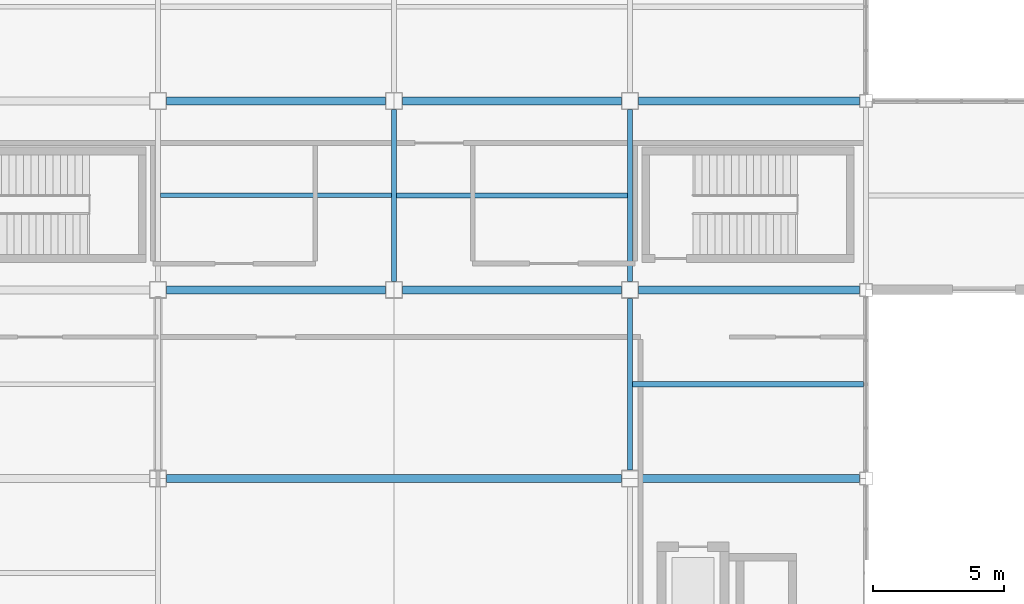
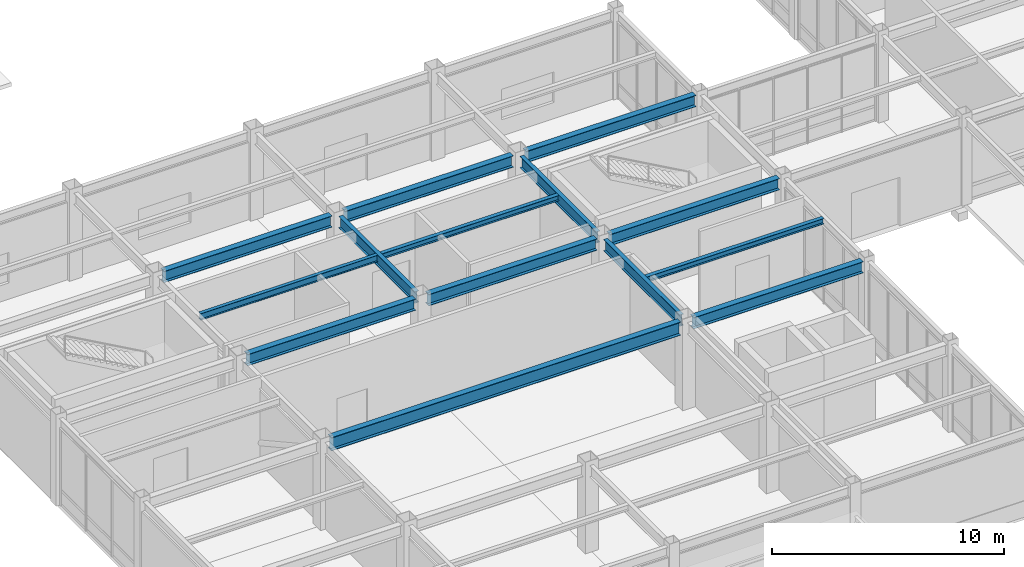
# One storey, part 15 of 112: 14 beams.
"""IFC4 building model written with IfcOpenShell, lengths in metres."""

from ifc_helpers import new_model, si_unit, direction, frame, origin, origin_2d, place, context, subcontext, project, spatial, i_section, extrude, material, material_profile, profile_set, type_object, element, save


model = new_model("IFC4")

# Units and contexts
model_context = context("Model", 3, precision=1e-05, world=origin(), true_north=direction((0.0, 1.0)))
body_context = subcontext(model_context, "Body", "Model", "MODEL_VIEW")
ifc_project = project(units=[si_unit("LENGTHUNIT", "METRE"), si_unit("AREAUNIT", "SQUARE_METRE"), si_unit("VOLUMEUNIT", "CUBIC_METRE"), si_unit("PLANEANGLEUNIT", "RADIAN"), si_unit("MASSUNIT", "GRAM", prefix="KILO")], contexts=[model_context])

# Site, building, storey
site_placement = place(None, origin())
site = spatial("IfcSite", under=ifc_project, at=site_placement, CompositionType="ELEMENT")
building_placement = place(site_placement, origin())
building = spatial("IfcBuilding", under=site, at=building_placement, Name="Kazanami Central Library", CompositionType="ELEMENT")
storey_placement = place(building_placement, origin())
storey = spatial("IfcBuildingStorey", under=building, at=storey_placement, Name="L01", CompositionType="ELEMENT", Elevation=0.0)

# Beams
ifc_material_1 = material(Name="Steel SN400B (235 MPa)", Category="steel")
ifc_material_profile_1 = material_profile(ifc_material_1, i_section(OverallWidth=0.175048828125, OverallDepth=0.35009765625, WebThickness=0.007080078125, FlangeThickness=0.010986328125, at=origin_2d()), Name="H-350x175x7x11")
ifc_profile_set_1 = profile_set([ifc_material_profile_1], Name="Steel SN400B (235 MPa)")
beam_type_1 = type_object("IfcBeamType", Name="BM-B-S2", PredefinedType="JOIST", material=ifc_profile_set_1)
beam_1_placement = place(storey_placement, frame((9.097900390625, 25.199951171875, 4.3798828125), z_axis=(1.0, 0.0, 0.0), x_axis=(0.0, 1.0, 0.0)))
element("IfcBeam", 1, at=beam_1_placement, inside=storey, type_object=beam_type_1, Name="Composite Secondary Joist B-S2 L01 Bay 2/D.1", PredefinedType="JOIST", context=body_context, shape_type="SweptSolid", body=[
    extrude(i_section(OverallWidth=0.175048828125, OverallDepth=0.35009765625, WebThickness=0.007080078125, FlangeThickness=0.010986328125, at=origin_2d()), origin(), (0.0, 0.0, 1.0), 8.80419921875),
])
ifc_material_profile_2 = material_profile(ifc_material_1, i_section(OverallWidth=0.199951171875, OverallDepth=0.2939453125, WebThickness=0.008056640625, FlangeThickness=0.011962890625, at=origin_2d()), Name="H-294x200x8x12")
ifc_profile_set_2 = profile_set([ifc_material_profile_2], Name="Steel SN400B (235 MPa)")
beam_type_2 = type_object("IfcBeamType", Name="BM-B-S5", PredefinedType="JOIST", material=ifc_profile_set_2)
for number, where, z_axis, x_axis, name in (
    (2, (18.097900390625, 25.199951171875, 4.407958984375), (1.0, 0.0, 0.0), (0.0, 1.0, 0.0), "Composite Secondary Joist B-S5 L01 Bay 3/D.1"),
    (3, (27.097900390625, 18.0, 4.407958984375), (1.0, 0.0, 0.0), (0.0, 1.0, 0.0), "Composite Secondary Joist B-S5 L01 Bay 4/C.1"),
):
    element("IfcBeam", number, at=place(storey_placement, frame(where, z_axis=z_axis, x_axis=x_axis)), inside=storey, type_object=beam_type_2, Name=name, PredefinedType="JOIST", context=body_context, shape_type="SweptSolid", body=[
        extrude(i_section(OverallWidth=0.199951171875, OverallDepth=0.2939453125, WebThickness=0.008056640625, FlangeThickness=0.011962890625, at=origin_2d()), origin(), (0.0, 0.0, 1.0), 8.80419921875),
    ])
ifc_material_2 = material(Name="Steel SN490B (325 MPa)", Category="steel")
ifc_material_profile_3 = material_profile(ifc_material_2, i_section(OverallWidth=0.300048828125, OverallDepth=0.699951171875, WebThickness=0.012939453125, FlangeThickness=0.02392578125, at=origin_2d()), Name="H-700x300x13x24")
ifc_profile_set_3 = profile_set([ifc_material_profile_3], Name="Steel SN490B (325 MPa)")
beam_type_3 = type_object("IfcBeamType", Name="BM-G-AT", PredefinedType="BEAM", material=ifc_profile_set_3)
beam_2_placement = place(storey_placement, frame((9.322998046875, 14.39990234375, 4.205078125), z_axis=(1.0, 0.0, 0.0), x_axis=(0.0, 1.0, 0.0)))
element("IfcBeam", 4, at=beam_2_placement, inside=storey, type_object=beam_type_3, Name="Auditorium Clear-Span Girder G-AT L01", PredefinedType="BEAM", context=body_context, shape_type="SweptSolid", body=[
    extrude(i_section(OverallWidth=0.300048828125, OverallDepth=0.699951171875, WebThickness=0.012939453125, FlangeThickness=0.02392578125, at=origin_2d()), origin(), (0.0, 0.0, 1.0), 17.35400390625),
])
ifc_material_profile_4 = material_profile(ifc_material_2, i_section(OverallWidth=0.300048828125, OverallDepth=0.60009765625, WebThickness=0.011962890625, FlangeThickness=0.02001953125, at=origin_2d()), Name="H-600x300x12x20")
ifc_profile_set_4 = profile_set([ifc_material_profile_4], Name="Steel SN490B (325 MPa)")
beam_type_4 = type_object("IfcBeamType", Name="BM-G-X1", PredefinedType="BEAM", material=ifc_profile_set_4)
beam_3_placement = place(storey_placement, frame((27.322998046875, 14.39990234375, 4.2548828125), z_axis=(1.0, 0.0, 0.0), x_axis=(0.0, 1.0, 0.0)))
element("IfcBeam", 5, at=beam_3_placement, inside=storey, type_object=beam_type_4, Name="Girder G-X1 L01 C/4-5", PredefinedType="BEAM", context=body_context, shape_type="SweptSolid", body=[
    extrude(i_section(OverallWidth=0.300048828125, OverallDepth=0.60009765625, WebThickness=0.011962890625, FlangeThickness=0.02001953125, at=origin_2d()), origin(), (0.0, 0.0, 1.0), 8.428955078125),
])
for number, where, z_axis, x_axis, name in (
    (6, (9.322998046875, 21.60009765625, 4.2548828125), (1.0, 0.0, 0.0), (0.0, 1.0, 0.0), "Girder G-X1 L01 D/2-3"),
    (7, (18.322998046875, 21.60009765625, 4.2548828125), (1.0, 0.0, 0.0), (0.0, 1.0, 0.0), "Girder G-X1 L01 D/3-4"),
):
    element("IfcBeam", number, at=place(storey_placement, frame(where, z_axis=z_axis, x_axis=x_axis)), inside=storey, type_object=beam_type_4, Name=name, PredefinedType="BEAM", context=body_context, shape_type="SweptSolid", body=[
        extrude(i_section(OverallWidth=0.300048828125, OverallDepth=0.60009765625, WebThickness=0.011962890625, FlangeThickness=0.02001953125, at=origin_2d()), origin(), (0.0, 0.0, 1.0), 8.35400390625),
    ])
beam_4_placement = place(storey_placement, frame((27.322998046875, 21.60009765625, 4.2548828125), z_axis=(1.0, 0.0, 0.0), x_axis=(0.0, 1.0, 0.0)))
element("IfcBeam", 8, at=beam_4_placement, inside=storey, type_object=beam_type_4, Name="Girder G-X1 L01 D/4-5", PredefinedType="BEAM", context=body_context, shape_type="SweptSolid", body=[
    extrude(i_section(OverallWidth=0.300048828125, OverallDepth=0.60009765625, WebThickness=0.011962890625, FlangeThickness=0.02001953125, at=origin_2d()), origin(), (0.0, 0.0, 1.0), 8.428955078125),
])
for number, where, z_axis, x_axis, name in (
    (9, (9.322998046875, 28.800048828125, 4.2548828125), (1.0, 0.0, 0.0), (0.0, 1.0, 0.0), "Girder G-X1 L01 E/2-3"),
    (10, (18.322998046875, 28.800048828125, 4.2548828125), (1.0, 0.0, 0.0), (0.0, 1.0, 0.0), "Girder G-X1 L01 E/3-4"),
):
    element("IfcBeam", number, at=place(storey_placement, frame(where, z_axis=z_axis, x_axis=x_axis)), inside=storey, type_object=beam_type_4, Name=name, PredefinedType="BEAM", context=body_context, shape_type="SweptSolid", body=[
        extrude(i_section(OverallWidth=0.300048828125, OverallDepth=0.60009765625, WebThickness=0.011962890625, FlangeThickness=0.02001953125, at=origin_2d()), origin(), (0.0, 0.0, 1.0), 8.35400390625),
    ])
beam_5_placement = place(storey_placement, frame((27.322998046875, 28.800048828125, 4.2548828125), z_axis=(1.0, 0.0, 0.0), x_axis=(0.0, 1.0, 0.0)))
element("IfcBeam", 11, at=beam_5_placement, inside=storey, type_object=beam_type_4, Name="Girder G-X1 L01 E/4-5", PredefinedType="BEAM", context=body_context, shape_type="SweptSolid", body=[
    extrude(i_section(OverallWidth=0.300048828125, OverallDepth=0.60009765625, WebThickness=0.011962890625, FlangeThickness=0.02001953125, at=origin_2d()), origin(), (0.0, 0.0, 1.0), 8.428955078125),
])
ifc_material_profile_5 = material_profile(ifc_material_2, i_section(OverallWidth=0.199951171875, OverallDepth=0.60009765625, WebThickness=0.010986328125, FlangeThickness=0.01708984375, at=origin_2d()), Name="H-600x200x11x17")
ifc_profile_set_5 = profile_set([ifc_material_profile_5], Name="Steel SN490B (325 MPa)")
beam_type_5 = type_object("IfcBeamType", Name="BM-G-Y1", PredefinedType="BEAM", material=ifc_profile_set_5)
beam_6_placement = place(storey_placement, frame((18.0, 21.923095703125, 4.2548828125), z_axis=(0.0, 1.0, 0.0), x_axis=(-1.0, 0.0, 0.0)))
element("IfcBeam", 12, at=beam_6_placement, inside=storey, type_object=beam_type_5, Name="Girder G-Y1 L01 3/D-E", PredefinedType="BEAM", context=body_context, shape_type="SweptSolid", body=[
    extrude(i_section(OverallWidth=0.199951171875, OverallDepth=0.60009765625, WebThickness=0.010986328125, FlangeThickness=0.01708984375, at=origin_2d()), origin(), (0.0, 0.0, 1.0), 6.553955078125),
])
beam_7_placement = place(storey_placement, frame((27.0, 14.722900390625, 4.2548828125), z_axis=(0.0, 1.0, 0.0), x_axis=(-1.0, 0.0, 0.0)))
element("IfcBeam", 13, at=beam_7_placement, inside=storey, type_object=beam_type_5, Name="Girder G-Y1 L01 4/C-D", PredefinedType="BEAM", context=body_context, shape_type="SweptSolid", body=[
    extrude(i_section(OverallWidth=0.199951171875, OverallDepth=0.60009765625, WebThickness=0.010986328125, FlangeThickness=0.01708984375, at=origin_2d()), origin(), (0.0, 0.0, 1.0), 6.55419921875),
])
beam_8_placement = place(storey_placement, frame((27.0, 21.923095703125, 4.2548828125), z_axis=(0.0, 1.0, 0.0), x_axis=(-1.0, 0.0, 0.0)))
element("IfcBeam", 14, at=beam_8_placement, inside=storey, type_object=beam_type_5, Name="Girder G-Y1 L01 4/D-E", PredefinedType="BEAM", context=body_context, shape_type="SweptSolid", body=[
    extrude(i_section(OverallWidth=0.199951171875, OverallDepth=0.60009765625, WebThickness=0.010986328125, FlangeThickness=0.01708984375, at=origin_2d()), origin(), (0.0, 0.0, 1.0), 6.553955078125),
])

save(model, "model.ifc")
